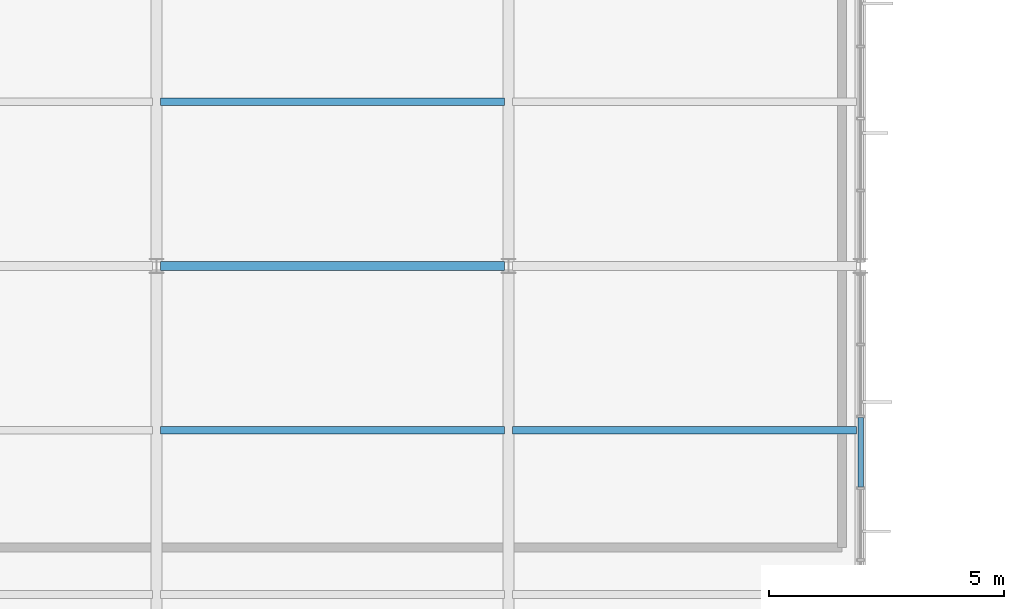
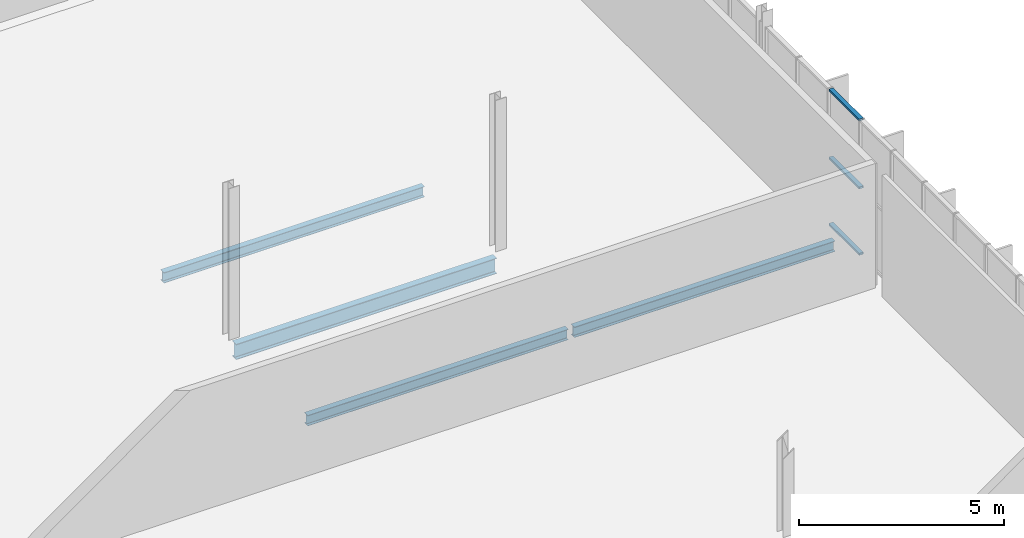
# One storey, part 51 of 324: 4 beams, 3 members, 1 element without a shape of its own.
"""IFC4 building model written with IfcOpenShell, lengths in metres."""

from ifc_helpers import new_model, si_unit, direction, frame, origin, origin_2d, place, context, subcontext, project, spatial, hollow_rectangle, i_section, extrude, material, layer, layer_set, material_profile, profile_set, type_object, element, aggregate, save


model = new_model("IFC4")

# Units and contexts
model_context = context("Model", 3, precision=1e-05, world=origin(), true_north=direction((0.0, 1.0)))
body_context = subcontext(model_context, "Body", "Model", "MODEL_VIEW")
ifc_project = project(units=[si_unit("LENGTHUNIT", "METRE"), si_unit("AREAUNIT", "SQUARE_METRE"), si_unit("VOLUMEUNIT", "CUBIC_METRE"), si_unit("PLANEANGLEUNIT", "RADIAN"), si_unit("MASSUNIT", "GRAM", prefix="KILO")], contexts=[model_context])

# Site, building, storey
site_placement = place(None, origin())
site = spatial("IfcSite", under=ifc_project, at=site_placement, CompositionType="ELEMENT")
building_placement = place(site_placement, origin())
building = spatial("IfcBuilding", under=site, at=building_placement, Name="Solvenia Promenade Tram Depot", CompositionType="ELEMENT")
storey_placement = place(building_placement, frame((0.0, 0.0, 4.5)))
storey = spatial("IfcBuildingStorey", under=building, at=storey_placement, Name="L01", CompositionType="ELEMENT", Elevation=4.5)

# Beam
ifc_material_1 = material(Name="Structural steel ASTM A992 Gr. 50", Category="steel")
ifc_material_profile_1 = material_profile(ifc_material_1, i_section(OverallWidth=0.19091796875, OverallDepth=0.4599609375, WebThickness=0.010009765625, FlangeThickness=0.01611328125, FilletRadius=0.012939453125, at=origin_2d()), Name="W460x82", Category="steel")
ifc_profile_set_1 = profile_set([ifc_material_profile_1], Name="Structural steel ASTM A992 Gr. 50")
beam_type_1 = type_object("IfcBeamType", Name="Beam-W460x82", PredefinedType="BEAM", material=ifc_profile_set_1)
beam_placement = place(storey_placement, frame((30.0849609375, 52.0, -0.469970703125), z_axis=(1.0, 0.0, 0.0), x_axis=(0.0, 1.0, 0.0)))
element("IfcBeam", 1, at=beam_placement, inside=storey, type_object=beam_type_1, Name="Primary Girder BM-L01-0227", PredefinedType="BEAM", context=body_context, shape_type="SweptSolid", body=[
    extrude(i_section(OverallWidth=0.19091796875, OverallDepth=0.4599609375, WebThickness=0.010009765625, FlangeThickness=0.01611328125, FilletRadius=0.012939453125, at=origin_2d()), origin(), (0.0, 0.0, 1.0), 7.330078125),
])

# Curtain wall, members
ifc_material_2 = material(Name="Anodized aluminium AW-6063 T6", Category="aluminium")
ifc_layer = layer(ifc_material_2, 0.1201171875, Name="Anodized aluminium AW-6063 T6", Category="aluminium")
ifc_layer_set = layer_set([ifc_layer], Name="Anodized aluminium AW-6063 T6")
curtain_wall_type = type_object("IfcCurtainWallType", Name="CW-Wash-1500", PredefinedType="NOTDEFINED", material=ifc_layer_set)
curtain_wall_placement = place(storey_placement, origin())
curtain_wall = element("IfcCurtainWall", 2, at=curtain_wall_placement, inside=storey, type_object=curtain_wall_type, Name="Curtain Wall CW-V3-E-L1-2", PredefinedType="NOTDEFINED")
ifc_material_profile_2 = material_profile(ifc_material_2, hollow_rectangle(XDim=0.1201171875, YDim=0.06005859375, WallThickness=0.00390625, at=origin_2d()), Name="ALU-T1", Category="aluminium")
ifc_profile_set_2 = profile_set([ifc_material_profile_2], Name="Anodized aluminium AW-6063 T6")
member_type = type_object("IfcMemberType", Name="CWT-Transom-1", PredefinedType="USERDEFINED", material=ifc_profile_set_2)
member_1_placement = place(storey_placement, frame((45.0, 47.292724609375, 0.030029296875), z_axis=(0.0, 1.0, 0.0), x_axis=(-1.0, 0.0, 0.0)))
member_1 = element("IfcMember", 3, at=member_1_placement, type_object=member_type, Name="CW-10 transom 7.1", ObjectType="TRANSOM", PredefinedType="USERDEFINED", context=body_context, shape_type="SweptSolid", body=[
    extrude(hollow_rectangle(XDim=0.1201171875, YDim=0.06005859375, WallThickness=0.00390625, at=origin_2d()), origin(), (0.0, 0.0, 1.0), 1.47900390625),
])
member_2_placement = place(storey_placement, frame((45.0, 47.292724609375, 2.0), z_axis=(0.0, 1.0, 0.0), x_axis=(-1.0, 0.0, 0.0)))
member_2 = element("IfcMember", 4, at=member_2_placement, type_object=member_type, Name="CW-10 transom 7.2", ObjectType="TRANSOM", PredefinedType="USERDEFINED", context=body_context, shape_type="SweptSolid", body=[
    extrude(hollow_rectangle(XDim=0.1201171875, YDim=0.06005859375, WallThickness=0.00390625, at=origin_2d()), origin(), (0.0, 0.0, 1.0), 1.47900390625),
])
member_3_placement = place(storey_placement, frame((45.0, 47.292724609375, 4.02001953125), z_axis=(0.0, 1.0, 0.0), x_axis=(-1.0, 0.0, 0.0)))
member_3 = element("IfcMember", 5, at=member_3_placement, type_object=member_type, Name="CW-10 transom 7.3", ObjectType="TRANSOM", PredefinedType="USERDEFINED", context=body_context, shape_type="SweptSolid", body=[
    extrude(hollow_rectangle(XDim=0.1201171875, YDim=0.06005859375, WallThickness=0.00390625, at=origin_2d()), origin(), (0.0, 0.0, 1.0), 1.47900390625),
])
aggregate(curtain_wall, [member_1, member_2, member_3])

# Beams
ifc_material_profile_3 = material_profile(ifc_material_1, i_section(OverallWidth=0.166015625, OverallDepth=0.31298828125, WebThickness=0.006591796875, FlangeThickness=0.01123046875, FilletRadius=0.010009765625, at=origin_2d()), Name="W310x45", Category="steel")
ifc_profile_set_3 = profile_set([ifc_material_profile_3], Name="Structural steel ASTM A992 Gr. 50")
beam_type_2 = type_object("IfcBeamType", Name="Joist-W310x45", PredefinedType="JOIST", material=ifc_profile_set_3)
for number, where, z_axis, x_axis, name in (
    (6, (30.0849609375, 48.5, -0.396484375), (1.0, 0.0, 0.0), (0.0, 1.0, 0.0), "Secondary Floor Joist BM-L01-0289"),
    (7, (30.0849609375, 55.5, -0.396484375), (1.0, 0.0, 0.0), (0.0, 1.0, 0.0), "Secondary Floor Joist BM-L01-0290"),
    (8, (37.5849609375, 48.5, -0.396484375), (1.0, 0.0, 0.0), (0.0, 1.0, 0.0), "Secondary Floor Joist BM-L01-0298"),
):
    element("IfcBeam", number, at=place(storey_placement, frame(where, z_axis=z_axis, x_axis=x_axis)), inside=storey, type_object=beam_type_2, Name=name, PredefinedType="JOIST", context=body_context, shape_type="SweptSolid", body=[
        extrude(i_section(OverallWidth=0.166015625, OverallDepth=0.31298828125, WebThickness=0.006591796875, FlangeThickness=0.01123046875, FilletRadius=0.010009765625, at=origin_2d()), origin(), (0.0, 0.0, 1.0), 7.330078125),
    ])

save(model, "model.ifc")
